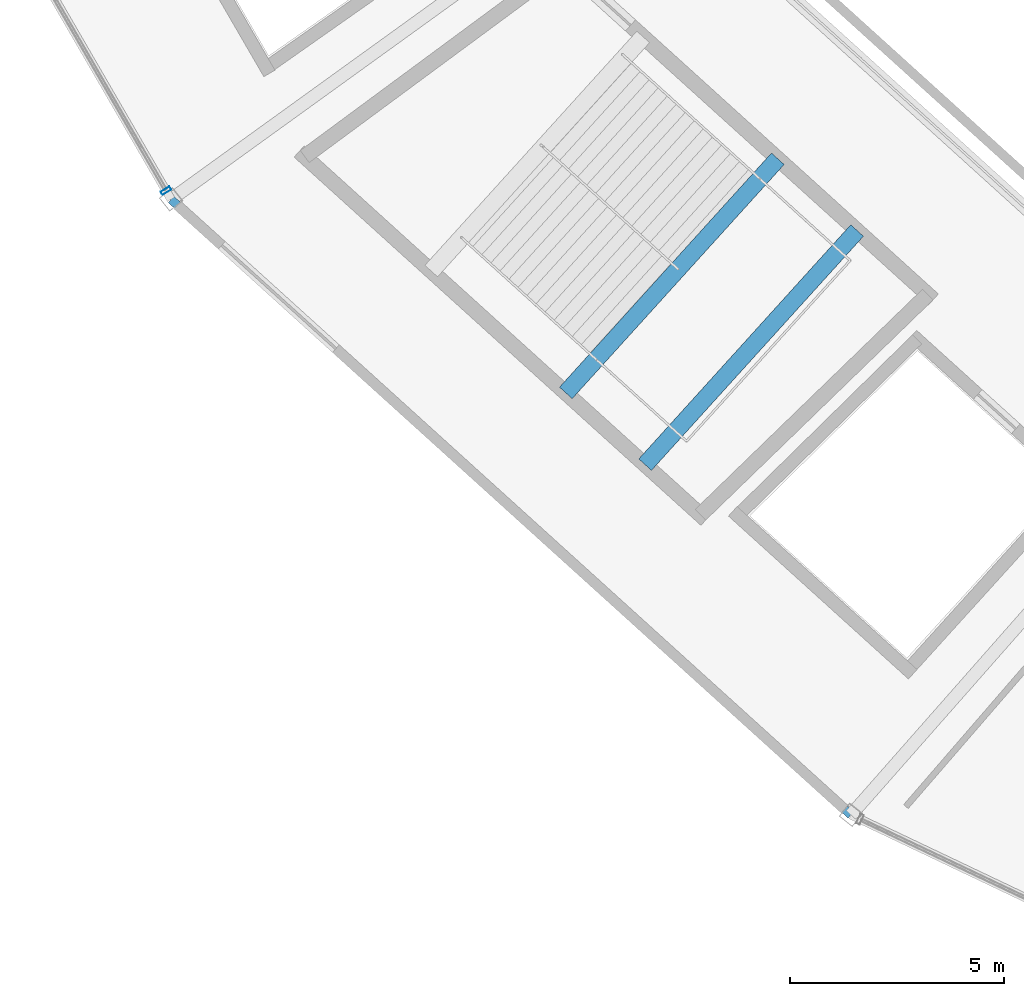
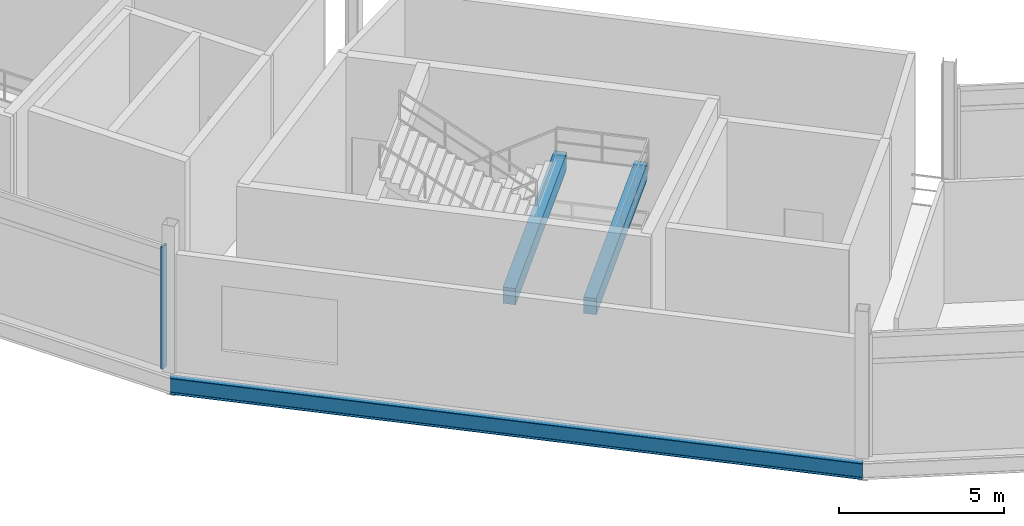
# One storey, part 12 of 86: 3 beams, 1 member, 1 element without a shape of its own.
"""IFC4 building model written with IfcOpenShell, lengths in metres."""

import ifcopenshell
import ifcopenshell.guid

model = None  # the IFC model being written
_history = None  # IfcOwnerHistory: only IFC2X3 demands one
_inside = {}  # id of a spatial element -> (the spatial element, [elements in it])
_under = {}  # id of a project, library or spatial element -> (it, [spatial elements below it])
_declared = {}  # id of a project -> (the project, [libraries it declares])
_typed = {}  # id of a type object -> (the type object, [elements of that type])
_made_of = {}  # id of a material, layer set ... -> (it, [elements and type objects made of it])


def new_model(schema):
    """Start an empty IFC model of exactly this schema.

    Asked for "IFC4X3", IfcOpenShell would pick the latest addendum, in which some entities
    have other attributes; the version numbers below select the first issue.
    IFC2X3 requires an IfcOwnerHistory on every rooted entity: one is made here for all.
    """
    global model, _history
    if schema == "IFC4X3":
        model = ifcopenshell.file(schema_version=(4, 3, 0, 0))
    else:
        model = ifcopenshell.file(schema=schema)
    _inside.clear()
    _under.clear()
    _declared.clear()
    _typed.clear()
    _made_of.clear()
    _history = None
    if model.schema == "IFC2X3":
        org = make("IfcOrganization", Name="unknown")
        user = make(
            "IfcPersonAndOrganization",
            ThePerson=make("IfcPerson", FamilyName="unknown"),
            TheOrganization=org,
        )
        app = make(
            "IfcApplication",
            ApplicationDeveloper=org,
            Version="unknown",
            ApplicationFullName="unknown",
            ApplicationIdentifier="unknown",
        )
        _history = make(
            "IfcOwnerHistory",
            OwningUser=user,
            OwningApplication=app,
            ChangeAction="ADDED",
            CreationDate=0,
        )
    return model


def make(cls, **values):
    """One entity of the class cls with the attributes given. An attribute that is None is left unset."""
    return model.create_entity(
        cls, **{name: value for name, value in values.items() if value is not None}
    )


def rooted(cls, **values):
    """An entity with a GlobalId (a new one), such as an element, a storey or a relation."""
    return make(cls, GlobalId=ifcopenshell.guid.new(), OwnerHistory=_history, **values)


def si_unit(unit_type, name, prefix=None):
    """IfcSIUnit, for example si_unit("LENGTHUNIT", "METRE", prefix="MILLI")."""
    return make("IfcSIUnit", UnitType=unit_type, Prefix=prefix, Name=name)


def assignment(units):
    """IfcUnitAssignment: the units of a project."""
    return None if units is None else make("IfcUnitAssignment", Units=units)


def point(xyz):
    """IfcCartesianPoint."""
    return None if xyz is None else make("IfcCartesianPoint", Coordinates=xyz)


def direction(xyz):
    """IfcDirection."""
    return None if xyz is None else make("IfcDirection", DirectionRatios=xyz)


def frame(location, z_axis=None, x_axis=None):
    """IfcAxis2Placement3D, a coordinate frame: its origin and axes. An axis left out is left unset."""
    return make(
        "IfcAxis2Placement3D",
        Location=point(location),
        Axis=direction(z_axis),
        RefDirection=direction(x_axis),
    )


def frame_2d(location, x_axis=None):
    """IfcAxis2Placement2D, a coordinate frame in the plane: its origin and x axis."""
    return make(
        "IfcAxis2Placement2D", Location=point(location), RefDirection=direction(x_axis)
    )


def origin():
    """The frame at (0, 0, 0) with its axes left unset."""
    return frame((0.0, 0.0, 0.0))


def origin_2d():
    """The frame at (0, 0) in the plane with its x axis left unset."""
    return frame_2d((0.0, 0.0))


def place(relative_to, where):
    """IfcLocalPlacement: puts the frame where relative to a parent placement (None: the world)."""
    return make(
        "IfcLocalPlacement", PlacementRelTo=relative_to, RelativePlacement=where
    )


def context(
    kind, dimensions, precision=None, world=None, true_north=None, identifier=None
):
    """IfcGeometricRepresentationContext, for example the 3D "Model" context."""
    return make(
        "IfcGeometricRepresentationContext",
        ContextIdentifier=identifier,
        ContextType=kind,
        CoordinateSpaceDimension=dimensions,
        Precision=precision,
        WorldCoordinateSystem=world,
        TrueNorth=true_north,
    )


def subcontext(parent, identifier, kind, view, scale=None):
    """IfcGeometricRepresentationSubContext, for example "Body" below "Model"."""
    return make(
        "IfcGeometricRepresentationSubContext",
        ContextIdentifier=identifier,
        ContextType=kind,
        ParentContext=parent,
        TargetScale=scale,
        TargetView=view,
    )


def project(units=None, contexts=None):
    """IfcProject with its units and contexts."""
    return rooted(
        "IfcProject",
        Name="project",
        RepresentationContexts=contexts,
        UnitsInContext=assignment(units),
    )


def spatial(cls, under=None, at=None, **own):
    """A site, building, storey or space (cls), placed at a placement, below another one or the project."""
    s = rooted(cls, ObjectPlacement=at, **own)
    if under is not None:
        _under.setdefault(under.id(), (under, []))[1].append(s)
    return s


def profile(cls, at=None, kind="AREA", **sizes):
    """A parametric profile (cls). Its sizes go by their IFC names, for example OverallWidth=200.0."""
    return make(cls, ProfileType=kind, Position=at, **sizes)


def rectangle(**sizes):
    """IfcRectangleProfileDef."""
    return profile("IfcRectangleProfileDef", **sizes)


def hollow_rectangle(**sizes):
    """IfcRectangleHollowProfileDef."""
    return profile("IfcRectangleHollowProfileDef", **sizes)


def i_section(**sizes):
    """IfcIShapeProfileDef."""
    return profile("IfcIShapeProfileDef", **sizes)


def extrude(swept, where, along, depth):
    """IfcExtrudedAreaSolid: the profile swept, set in the frame where, extruded along a direction by depth."""
    return make(
        "IfcExtrudedAreaSolid",
        SweptArea=swept,
        Position=where,
        ExtrudedDirection=direction(along),
        Depth=depth,
    )


def shape(context_of_items, identifier, shape_type, items):
    """IfcShapeRepresentation: the items that make up one representation, for example the "Body"."""
    return make(
        "IfcShapeRepresentation",
        ContextOfItems=context_of_items,
        RepresentationIdentifier=identifier,
        RepresentationType=shape_type,
        Items=items,
    )


def material(Name=None, Category=None):
    """IfcMaterial."""
    return make("IfcMaterial", Name=Name, Category=Category)


def layer(
    of_material, thickness, ventilated=None, Name=None, Category=None, Priority=None
):
    """IfcMaterialLayer: one layer of a wall or slab, of a material (None: an air gap)."""
    return make(
        "IfcMaterialLayer",
        Material=of_material,
        LayerThickness=thickness,
        IsVentilated=ventilated,
        Name=Name,
        Category=Category,
        Priority=Priority,
    )


def layer_set(layers, Name=None):
    """IfcMaterialLayerSet."""
    return make("IfcMaterialLayerSet", MaterialLayers=layers, LayerSetName=Name)


def material_profile(
    of_material, cross_section, Name=None, Category=None, Priority=None
):
    """IfcMaterialProfile: a cross section and its material."""
    return make(
        "IfcMaterialProfile",
        Name=Name,
        Material=of_material,
        Profile=cross_section,
        Priority=Priority,
        Category=Category,
    )


def profile_set(profiles, Name=None, composite=None):
    """IfcMaterialProfileSet."""
    return make(
        "IfcMaterialProfileSet",
        Name=Name,
        MaterialProfiles=profiles,
        CompositeProfile=composite,
    )


def made_of(thing, what):
    """Note that an element or type object is made of a material, layer set ...; save() writes the relation."""
    if what is not None:
        _made_of.setdefault(what.id(), (what, []))[1].append(thing)
    return thing


def type_object(cls, material=None, **own):
    """A type object (cls), such as IfcWallType, which elements share."""
    return made_of(rooted(cls, **own), material)


def element(
    cls,
    number,
    at=None,
    inside=None,
    cuts=None,
    type_object=None,
    material=None,
    context=None,
    identifier="Body",
    shape_type=None,
    held_by="IfcProductDefinitionShape",
    body=None,
    shapes=None,
    **own,
):
    """One element of the class cls, such as IfcWall. Its Tag is "e" and its number.

    at: its placement. inside: the storey or other place that contains it. cuts: it is an
    opening in that element (IfcRelVoidsElement). A single representation is given by context,
    identifier, shape_type and body (its items); several are given by shapes. held_by: the class
    of the entity that holds the representations. save() writes the other relations.
    """
    e = rooted(cls, Tag="e%d" % number, ObjectPlacement=at, **own)
    if body is not None:
        shapes = [shape(context, identifier, shape_type, body)]
    if shapes is not None:
        e.Representation = make(held_by, Representations=shapes)
    if inside is not None:
        _inside.setdefault(inside.id(), (inside, []))[1].append(e)
    if cuts is not None:
        rooted(
            "IfcRelVoidsElement", RelatingBuildingElement=cuts, RelatedOpeningElement=e
        )
    if type_object is not None:
        _typed.setdefault(type_object.id(), (type_object, []))[1].append(e)
    return made_of(e, material)


def aggregate(whole, parts):
    """IfcRelAggregates: a whole, such as a stair, and the parts it consists of."""
    return rooted("IfcRelAggregates", RelatingObject=whole, RelatedObjects=parts)


def save(model, path):
    """Write the relations noted so far, then the file.

    IfcRelAggregates (storeys below a building ...), IfcRelContainedInSpatialStructure (elements
    in a storey), IfcRelDefinesByType, IfcRelAssociatesMaterial and IfcRelDeclares: one each for
    every whole, place, type object, material and project.
    """
    for whole, parts in _under.values():
        aggregate(whole, parts)
    for where, things in _inside.values():
        rooted(
            "IfcRelContainedInSpatialStructure",
            RelatedElements=things,
            RelatingStructure=where,
        )
    for kind, things in _typed.values():
        rooted("IfcRelDefinesByType", RelatedObjects=things, RelatingType=kind)
    for what, things in _made_of.values():
        rooted("IfcRelAssociatesMaterial", RelatedObjects=things, RelatingMaterial=what)
    for by, libraries in _declared.values():
        rooted("IfcRelDeclares", RelatingContext=by, RelatedDefinitions=libraries)
    model.write(path)


model = new_model("IFC4")

# Units and contexts
model_context = context("Model", 3, precision=1e-05, world=origin(), true_north=direction((0.0, 1.0)))
body_context = subcontext(model_context, "Body", "Model", "MODEL_VIEW")
ifc_project = project(units=[si_unit("LENGTHUNIT", "METRE"), si_unit("AREAUNIT", "SQUARE_METRE"), si_unit("VOLUMEUNIT", "CUBIC_METRE"), si_unit("PLANEANGLEUNIT", "RADIAN"), si_unit("MASSUNIT", "GRAM", prefix="KILO")], contexts=[model_context])

# Site, building, storey
site_placement = place(None, origin())
site = spatial("IfcSite", under=ifc_project, at=site_placement, CompositionType="ELEMENT")
building_placement = place(site_placement, origin())
building = spatial("IfcBuilding", under=site, at=building_placement, Name="Kazemori Nagisa Stadium", CompositionType="ELEMENT")
storey_placement = place(building_placement, frame((0.0, 0.0, 31.280029296875)))
storey = spatial("IfcBuildingStorey", under=building, at=storey_placement, Name="L06", CompositionType="ELEMENT", Elevation=31.280029296875)

# Beams
ifc_material_1 = material(Name="Concrete C40/50 (Fc42)", Category="concrete")
ifc_material_profile_1 = material_profile(ifc_material_1, rectangle(XDim=0.39990234375, YDim=0.60009765625, at=origin_2d()), Name="RC-BM-400x600")
ifc_profile_set_1 = profile_set([ifc_material_profile_1], Name="Concrete C40/50 (Fc42)")
beam_type_1 = type_object("IfcBeamType", Name="Beam_BG-LND400X600", PredefinedType="BEAM", material=ifc_profile_set_1)
beam_1_placement = place(storey_placement, frame((58.692626953125, 46.282958984375, 2.219970703125), z_axis=(-0.671129682405, -0.741339968837, 0.0), x_axis=(0.741339968837, -0.671129682405, 0.0)))
element("IfcBeam", 1, at=beam_1_placement, inside=storey, type_object=beam_type_1, Name="Core stair mid-landing girder ST03-L06-1", PredefinedType="BEAM", context=body_context, shape_type="SweptSolid", body=[
    extrude(rectangle(XDim=0.39990234375, YDim=0.60009765625, at=origin_2d()), origin(), (0.0, 0.0, 1.0), 7.3857421875),
])
beam_2_placement = place(storey_placement, frame((60.5458984375, 44.605224609375, 2.219970703125), z_axis=(-0.671113236271, -0.74135485707, 0.0), x_axis=(0.74135485707, -0.671113236271, 0.0)))
element("IfcBeam", 2, at=beam_2_placement, inside=storey, type_object=beam_type_1, Name="Core stair mid-landing girder ST03-L06-2", PredefinedType="BEAM", context=body_context, shape_type="SweptSolid", body=[
    extrude(rectangle(XDim=0.39990234375, YDim=0.60009765625, at=origin_2d()), origin(), (0.0, 0.0, 1.0), 7.385986328125),
])
ifc_material_2 = material(Name="Steel SN490B", Category="steel")
ifc_material_profile_2 = material_profile(ifc_material_2, i_section(OverallWidth=0.199951171875, OverallDepth=0.60009765625, WebThickness=0.010986328125, FlangeThickness=0.01708984375, FilletRadius=0.012939453125, at=origin_2d()), Name="H-600x200x11x17")
ifc_profile_set_2 = profile_set([ifc_material_profile_2], Name="Steel SN490B")
beam_type_2 = type_object("IfcBeamType", Name="Beam_BS-H600", PredefinedType="SPANDREL", material=ifc_profile_set_2)
beam_3_placement = place(storey_placement, frame((44.504638671875, 45.332275390625, -0.56005859375), z_axis=(0.741351531326, -0.671116910084, 0.0), x_axis=(0.671116910084, 0.741351531326, 0.0)))
element("IfcBeam", 3, at=beam_3_placement, inside=storey, type_object=beam_type_2, Name="Ring girder BS-H600 L06 R3-18", PredefinedType="SPANDREL", context=body_context, shape_type="SweptSolid", body=[
    extrude(i_section(OverallWidth=0.199951171875, OverallDepth=0.60009765625, WebThickness=0.010986328125, FlangeThickness=0.01708984375, FilletRadius=0.012939453125, at=origin_2d()), origin(), (0.0, 0.0, 1.0), 21.44384765625),
])

# Curtain wall, member
ifc_material_3 = material(Name="Anodised aluminium 6063-T5", Category="aluminium")
ifc_layer = layer(ifc_material_3, 0.239990234375, Name="Anodised aluminium 6063-T5", Category="aluminium")
ifc_layer_set = layer_set([ifc_layer], Name="Anodised aluminium 6063-T5")
curtain_wall_type = type_object("IfcCurtainWallType", Name="CW_L06R3_102", PredefinedType="USERDEFINED", material=ifc_layer_set)
curtain_wall_placement = place(storey_placement, origin())
curtain_wall = element("IfcCurtainWall", 4, at=curtain_wall_placement, inside=storey, type_object=curtain_wall_type, Name="Unitised curtain wall CW-L06R3-102 L06", ObjectType="UNITISED CURTAIN WALL", PredefinedType="USERDEFINED")
ifc_material_4 = material(Name="Aluminium 6063-T5 anodised", Category="aluminium")
ifc_material_profile_3 = material_profile(ifc_material_4, hollow_rectangle(XDim=0.090087890625, YDim=0.239990234375, WallThickness=0.0048828125, at=origin_2d()), Name="ALU-MULL-90x240x5")
ifc_profile_set_3 = profile_set([ifc_material_profile_3], Name="Aluminium 6063-T5 anodised")
member_type = type_object("IfcMemberType", Name="Mullion_M03", PredefinedType="MULLION", material=ifc_profile_set_3)
member_placement = place(storey_placement, frame((44.38671875, 45.53564453125, 0.0), z_axis=(0.0, 0.0, 1.0), x_axis=(0.501611590054, -0.865092950337, 0.0)))
member = element("IfcMember", 5, at=member_placement, type_object=member_type, Name="Curtain wall mullion CW-L06R3-102-M4", PredefinedType="MULLION", context=body_context, shape_type="SweptSolid", body=[
    extrude(hollow_rectangle(XDim=0.090087890625, YDim=0.239990234375, WallThickness=0.0048828125, at=origin_2d()), origin(), (0.0, 0.0, 1.0), 4.510009765625),
])
aggregate(curtain_wall, [member])

save(model, "model.ifc")
